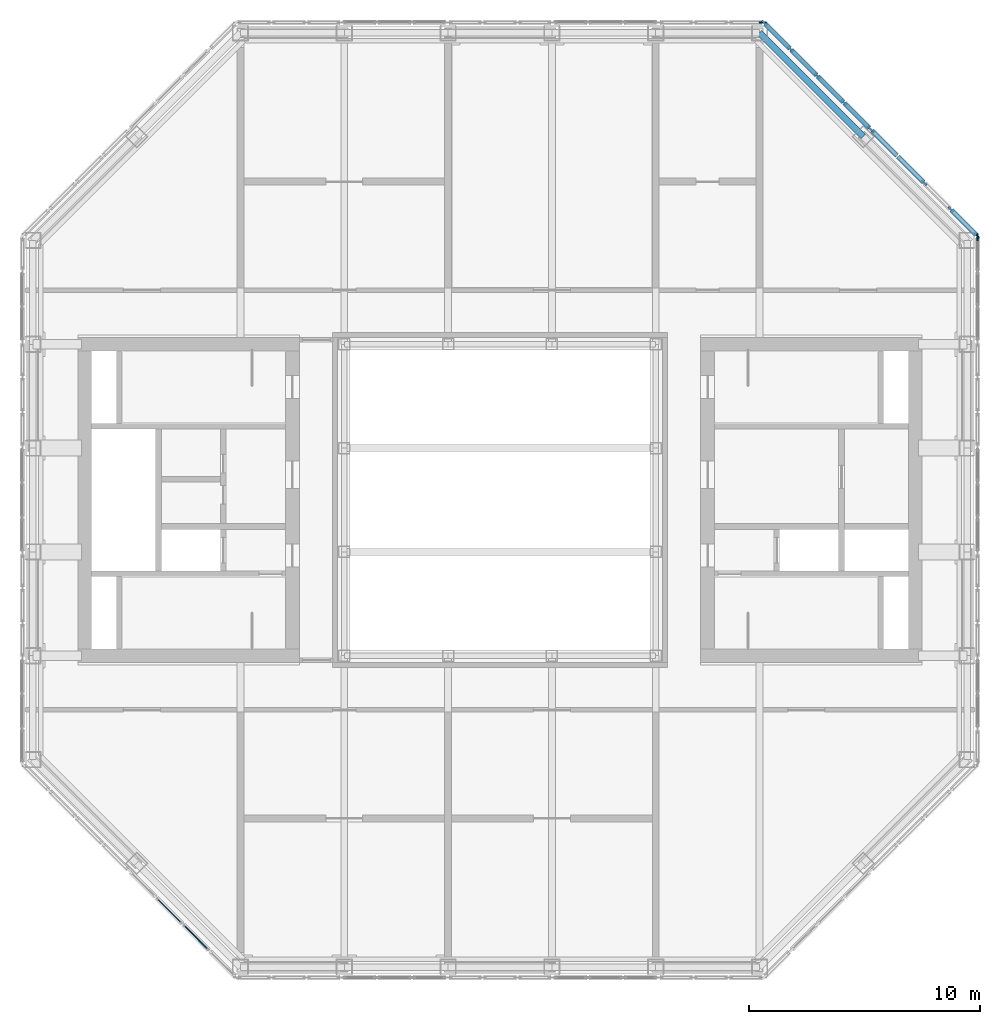
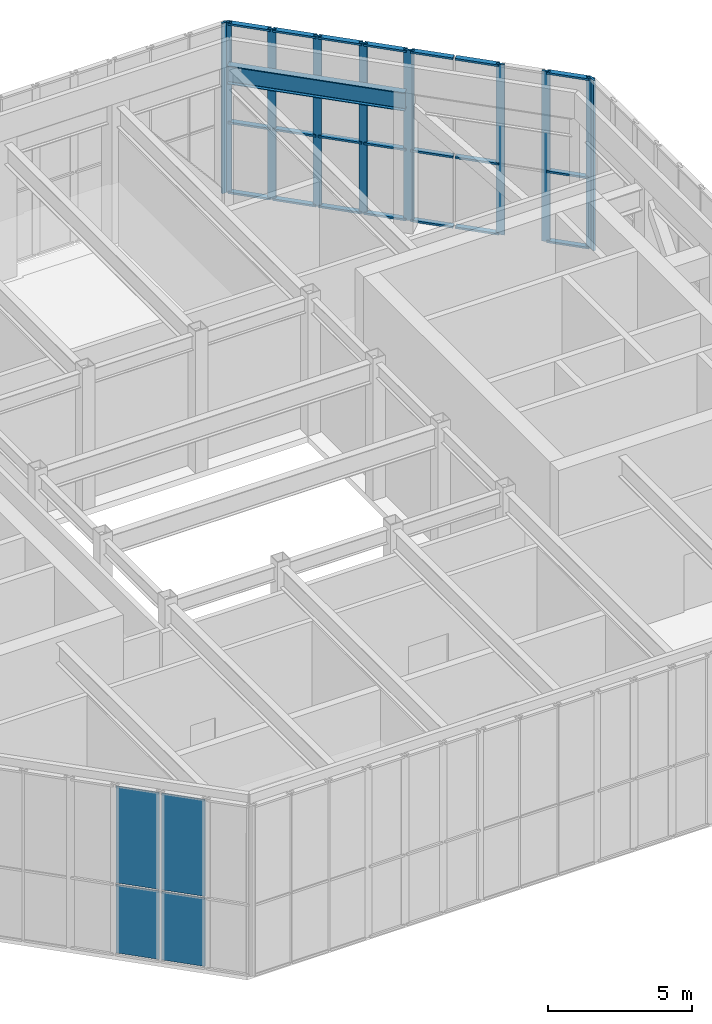
# One storey, part 9 of 15: 32 members, 4 plates, 1 beam, 5 elements without a shape of their own.
"""IFC4 building model written with IfcOpenShell, lengths in metres."""

from ifc_helpers import new_model, si_unit, direction, frame, origin, origin_2d, place, context, subcontext, project, spatial, rectangle, i_section, extrude, material, layer, layer_set, material_profile, profile_set, type_object, element, aggregate, save


model = new_model("IFC4")

# Units and contexts
model_context = context("Model", 3, precision=1e-05, world=origin(), true_north=direction((0.0, 1.0)))
body_context = subcontext(model_context, "Body", "Model", "MODEL_VIEW")
ifc_project = project(units=[si_unit("LENGTHUNIT", "METRE"), si_unit("AREAUNIT", "SQUARE_METRE"), si_unit("VOLUMEUNIT", "CUBIC_METRE"), si_unit("PLANEANGLEUNIT", "RADIAN"), si_unit("MASSUNIT", "GRAM", prefix="KILO")], contexts=[model_context])

# Site, building, storey
site_placement = place(None, origin())
site = spatial("IfcSite", under=ifc_project, at=site_placement, CompositionType="ELEMENT")
building_placement = place(site_placement, origin())
building = spatial("IfcBuilding", under=site, at=building_placement, Name="Msasa Ring Tower", CompositionType="ELEMENT")
storey_placement = place(building_placement, frame((0.0, 0.0, 268.050048828125)))
storey = spatial("IfcBuildingStorey", under=building, at=storey_placement, Name="L69", CompositionType="ELEMENT", Elevation=268.050048828125)

# Curtain wall, member
ifc_material_1 = material(Name="Aluminium curtain wall with clear glass", Category="aluminium")
curtain_wall_type_1 = type_object("IfcCurtainWallType", Name="CW-L LANTERN CURTAIN WALL", PredefinedType="NOTDEFINED", material=ifc_material_1)
curtain_wall_1_placement = place(storey_placement, origin())
curtain_wall_1 = element("IfcCurtainWall", 1, at=curtain_wall_1_placement, inside=storey, type_object=curtain_wall_type_1, Name="Lantern curtain wall E6 L69", PredefinedType="NOTDEFINED")
ifc_material_2 = material(Name="Aluminium mullion", Category="aluminium")
ifc_material_profile_1 = material_profile(ifc_material_2, rectangle(XDim=0.080078125, YDim=0.300048828125, at=origin_2d()), Name="AL 80x300")
ifc_profile_set_1 = profile_set([ifc_material_profile_1], Name="Aluminium mullion")
member_type_1 = type_object("IfcMemberType", Name="CW-L MULLION 80x300", PredefinedType="MULLION", material=ifc_profile_set_1)
member_1_placement = place(storey_placement, frame((20.699951171875, 11.396484375, 0.0), z_axis=(0.0, 0.0, 1.0), x_axis=(-1.0, 0.0, 0.0)))
member_1 = element("IfcMember", 2, at=member_1_placement, type_object=member_type_1, Name="CW-L mullion 4", PredefinedType="MULLION", context=body_context, shape_type="SweptSolid", body=[
    extrude(rectangle(XDim=0.080078125, YDim=0.300048828125, at=origin_2d()), origin(), (0.0, 0.0, 1.0), 7.199951171875),
])
aggregate(curtain_wall_1, [member_1])

# Curtain wall, members
curtain_wall_2_placement = place(storey_placement, origin())
curtain_wall_2 = element("IfcCurtainWall", 3, at=curtain_wall_2_placement, inside=storey, type_object=curtain_wall_type_1, Name="Lantern curtain wall NE2 L69", PredefinedType="NOTDEFINED")
member_2_placement = place(storey_placement, frame((16.039794921875, 16.096435546875, 0.0), z_axis=(0.0, 0.0, 1.0), x_axis=(-0.707106781187, -0.707106781187, 0.0)))
member_2 = element("IfcMember", 4, at=member_2_placement, type_object=member_type_1, Name="CW-L mullion 1", PredefinedType="MULLION", context=body_context, shape_type="SweptSolid", body=[
    extrude(rectangle(XDim=0.080078125, YDim=0.300048828125, at=origin_2d()), origin(), (0.0, 0.0, 1.0), 7.199951171875),
])
member_3_placement = place(storey_placement, frame((14.91015625, 17.22607421875, 0.0), z_axis=(0.0, 0.0, 1.0), x_axis=(-0.707106781187, -0.707106781187, 0.0)))
member_3 = element("IfcMember", 5, at=member_3_placement, type_object=member_type_1, Name="CW-L mullion 2", PredefinedType="MULLION", context=body_context, shape_type="SweptSolid", body=[
    extrude(rectangle(XDim=0.080078125, YDim=0.300048828125, at=origin_2d()), origin(), (0.0, 0.0, 1.0), 7.199951171875),
])
member_4_placement = place(storey_placement, frame((13.752197265625, 18.384033203125, 0.0), z_axis=(0.0, 0.0, 1.0), x_axis=(-0.707106781187, -0.707106781187, 0.0)))
member_4 = element("IfcMember", 6, at=member_4_placement, type_object=member_type_1, Name="CW-L mullion 3", PredefinedType="MULLION", context=body_context, shape_type="SweptSolid", body=[
    extrude(rectangle(XDim=0.080078125, YDim=0.300048828125, at=origin_2d()), origin(), (0.0, 0.0, 1.0), 7.199951171875),
])
member_5_placement = place(storey_placement, frame((12.59423828125, 19.5419921875, 0.0), z_axis=(0.0, 0.0, 1.0), x_axis=(-0.707106781187, -0.707106781187, 0.0)))
member_5 = element("IfcMember", 7, at=member_5_placement, type_object=member_type_1, Name="CW-L mullion 4", PredefinedType="MULLION", context=body_context, shape_type="SweptSolid", body=[
    extrude(rectangle(XDim=0.080078125, YDim=0.300048828125, at=origin_2d()), origin(), (0.0, 0.0, 1.0), 7.199951171875),
])
member_6_placement = place(storey_placement, frame((11.464599609375, 20.671630859375, 0.0), z_axis=(0.0, 0.0, 1.0), x_axis=(-0.707106781187, -0.707106781187, 0.0)))
member_6 = element("IfcMember", 8, at=member_6_placement, type_object=member_type_1, Name="CW-L mullion 5", PredefinedType="MULLION", context=body_context, shape_type="SweptSolid", body=[
    extrude(rectangle(XDim=0.080078125, YDim=0.300048828125, at=origin_2d()), origin(), (0.0, 0.0, 1.0), 7.199951171875),
])
ifc_material_3 = material(Name="Aluminium transom", Category="aluminium")
ifc_material_profile_2 = material_profile(ifc_material_3, rectangle(XDim=0.199951171875, YDim=0.080078125, at=origin_2d()), Name="AL 80x200")
ifc_profile_set_2 = profile_set([ifc_material_profile_2], Name="Aluminium transom")
member_type_2 = type_object("IfcMemberType", Name="CW-L TRANSOM 80x200", PredefinedType="USERDEFINED", material=ifc_profile_set_2)
member_7_placement = place(storey_placement, frame((16.01171875, 16.124755859375, 0.0400390625), z_axis=(-0.707187211918, 0.707026341306, 0.0), x_axis=(-0.707026341306, -0.707187211918, 0.0)))
member_7 = element("IfcMember", 9, at=member_7_placement, type_object=member_type_2, Name="CW-L transom 1.1", ObjectType="TRANSOM", PredefinedType="USERDEFINED", context=body_context, shape_type="SweptSolid", body=[
    extrude(rectangle(XDim=0.199951171875, YDim=0.080078125, at=origin_2d()), origin(), (0.0, 0.0, 1.0), 1.517578125),
])
member_8_placement = place(storey_placement, frame((16.01171875, 16.124755859375, 3.0), z_axis=(-0.707187211918, 0.707026341306, 0.0), x_axis=(-0.707026341306, -0.707187211918, 0.0)))
member_8 = element("IfcMember", 10, at=member_8_placement, type_object=member_type_2, Name="CW-L transom 1.2", ObjectType="TRANSOM", PredefinedType="USERDEFINED", context=body_context, shape_type="SweptSolid", body=[
    extrude(rectangle(XDim=0.199951171875, YDim=0.080078125, at=origin_2d()), origin(), (0.0, 0.0, 1.0), 1.517578125),
])
member_9_placement = place(storey_placement, frame((16.01171875, 16.124755859375, 7.159912109375), z_axis=(-0.707187211918, 0.707026341306, 0.0), x_axis=(-0.707026341306, -0.707187211918, 0.0)))
member_9 = element("IfcMember", 11, at=member_9_placement, type_object=member_type_2, Name="CW-L transom 1.3", ObjectType="TRANSOM", PredefinedType="USERDEFINED", context=body_context, shape_type="SweptSolid", body=[
    extrude(rectangle(XDim=0.199951171875, YDim=0.080078125, at=origin_2d()), origin(), (0.0, 0.0, 1.0), 1.517578125),
])
member_10_placement = place(storey_placement, frame((14.882080078125, 17.25439453125, 0.0400390625), z_axis=(-0.707185143992, 0.707028409696, 0.0), x_axis=(-0.707028409696, -0.707185143992, 0.0)))
member_10 = element("IfcMember", 12, at=member_10_placement, type_object=member_type_2, Name="CW-L transom 2.1", ObjectType="TRANSOM", PredefinedType="USERDEFINED", context=body_context, shape_type="SweptSolid", body=[
    extrude(rectangle(XDim=0.199951171875, YDim=0.080078125, at=origin_2d()), origin(), (0.0, 0.0, 1.0), 1.5576171875),
])
member_11_placement = place(storey_placement, frame((14.882080078125, 17.25439453125, 3.0), z_axis=(-0.707185143992, 0.707028409696, 0.0), x_axis=(-0.707028409696, -0.707185143992, 0.0)))
member_11 = element("IfcMember", 13, at=member_11_placement, type_object=member_type_2, Name="CW-L transom 2.2", ObjectType="TRANSOM", PredefinedType="USERDEFINED", context=body_context, shape_type="SweptSolid", body=[
    extrude(rectangle(XDim=0.199951171875, YDim=0.080078125, at=origin_2d()), origin(), (0.0, 0.0, 1.0), 1.5576171875),
])
member_12_placement = place(storey_placement, frame((14.882080078125, 17.25439453125, 7.159912109375), z_axis=(-0.707185143992, 0.707028409696, 0.0), x_axis=(-0.707028409696, -0.707185143992, 0.0)))
member_12 = element("IfcMember", 14, at=member_12_placement, type_object=member_type_2, Name="CW-L transom 2.3", ObjectType="TRANSOM", PredefinedType="USERDEFINED", context=body_context, shape_type="SweptSolid", body=[
    extrude(rectangle(XDim=0.199951171875, YDim=0.080078125, at=origin_2d()), origin(), (0.0, 0.0, 1.0), 1.5576171875),
])
member_13_placement = place(storey_placement, frame((13.72412109375, 18.412353515625, 0.0400390625), z_axis=(-0.707185143992, 0.707028409696, 0.0), x_axis=(-0.707028409696, -0.707185143992, 0.0)))
member_13 = element("IfcMember", 15, at=member_13_placement, type_object=member_type_2, Name="CW-L transom 3.1", ObjectType="TRANSOM", PredefinedType="USERDEFINED", context=body_context, shape_type="SweptSolid", body=[
    extrude(rectangle(XDim=0.199951171875, YDim=0.080078125, at=origin_2d()), origin(), (0.0, 0.0, 1.0), 1.5576171875),
])
member_14_placement = place(storey_placement, frame((13.72412109375, 18.412353515625, 3.0), z_axis=(-0.707185143992, 0.707028409696, 0.0), x_axis=(-0.707028409696, -0.707185143992, 0.0)))
member_14 = element("IfcMember", 16, at=member_14_placement, type_object=member_type_2, Name="CW-L transom 3.2", ObjectType="TRANSOM", PredefinedType="USERDEFINED", context=body_context, shape_type="SweptSolid", body=[
    extrude(rectangle(XDim=0.199951171875, YDim=0.080078125, at=origin_2d()), origin(), (0.0, 0.0, 1.0), 1.5576171875),
])
member_15_placement = place(storey_placement, frame((13.72412109375, 18.412353515625, 7.159912109375), z_axis=(-0.707185143992, 0.707028409696, 0.0), x_axis=(-0.707028409696, -0.707185143992, 0.0)))
member_15 = element("IfcMember", 17, at=member_15_placement, type_object=member_type_2, Name="CW-L transom 3.3", ObjectType="TRANSOM", PredefinedType="USERDEFINED", context=body_context, shape_type="SweptSolid", body=[
    extrude(rectangle(XDim=0.199951171875, YDim=0.080078125, at=origin_2d()), origin(), (0.0, 0.0, 1.0), 1.5576171875),
])
member_16_placement = place(storey_placement, frame((12.566162109375, 19.5703125, 0.0400390625), z_axis=(-0.707187211918, 0.707026341306, 0.0), x_axis=(-0.707026341306, -0.707187211918, 0.0)))
member_16 = element("IfcMember", 18, at=member_16_placement, type_object=member_type_2, Name="CW-L transom 4.1", ObjectType="TRANSOM", PredefinedType="USERDEFINED", context=body_context, shape_type="SweptSolid", body=[
    extrude(rectangle(XDim=0.199951171875, YDim=0.080078125, at=origin_2d()), origin(), (0.0, 0.0, 1.0), 1.517578125),
])
member_17_placement = place(storey_placement, frame((12.566162109375, 19.5703125, 3.0), z_axis=(-0.707187211918, 0.707026341306, 0.0), x_axis=(-0.707026341306, -0.707187211918, 0.0)))
member_17 = element("IfcMember", 19, at=member_17_placement, type_object=member_type_2, Name="CW-L transom 4.2", ObjectType="TRANSOM", PredefinedType="USERDEFINED", context=body_context, shape_type="SweptSolid", body=[
    extrude(rectangle(XDim=0.199951171875, YDim=0.080078125, at=origin_2d()), origin(), (0.0, 0.0, 1.0), 1.517578125),
])
member_18_placement = place(storey_placement, frame((12.566162109375, 19.5703125, 7.159912109375), z_axis=(-0.707187211918, 0.707026341306, 0.0), x_axis=(-0.707026341306, -0.707187211918, 0.0)))
member_18 = element("IfcMember", 20, at=member_18_placement, type_object=member_type_2, Name="CW-L transom 4.3", ObjectType="TRANSOM", PredefinedType="USERDEFINED", context=body_context, shape_type="SweptSolid", body=[
    extrude(rectangle(XDim=0.199951171875, YDim=0.080078125, at=origin_2d()), origin(), (0.0, 0.0, 1.0), 1.517578125),
])
aggregate(curtain_wall_2, [member_2, member_3, member_4, member_5, member_6, member_7, member_8, member_9, member_10, member_11, member_12, member_13, member_14, member_15, member_16, member_17, member_18])

ifc_material_4 = material(Name="Aluminium curtain wall with insulated terracotta-faced panels", Category="masonry")
curtain_wall_type_2 = type_object("IfcCurtainWallType", Name="CW-O OPAQUE LANTERN CURTAIN WALL", PredefinedType="NOTDEFINED", material=ifc_material_4)
curtain_wall_3_placement = place(storey_placement, origin())
curtain_wall_3 = element("IfcCurtainWall", 21, at=curtain_wall_3_placement, inside=storey, type_object=curtain_wall_type_2, Name="Lantern opaque curtain wall NE1 L69", PredefinedType="NOTDEFINED")
ifc_material_5 = material(Name="Aluminium mullion", Category="aluminium")
ifc_material_profile_3 = material_profile(ifc_material_5, rectangle(XDim=0.080078125, YDim=0.300048828125, at=origin_2d()), Name="AL 80x300")
ifc_profile_set_3 = profile_set([ifc_material_profile_3], Name="Aluminium mullion")
member_type_3 = type_object("IfcMemberType", Name="CW-O MULLION 80x300", PredefinedType="MULLION", material=ifc_profile_set_3)
member_19_placement = place(storey_placement, frame((20.671630859375, 11.464599609375, 0.0), z_axis=(0.0, 0.0, 1.0), x_axis=(-0.707106781187, -0.707106781187, 0.0)))
member_19 = element("IfcMember", 22, at=member_19_placement, type_object=member_type_3, Name="CW-O mullion 1", PredefinedType="MULLION", context=body_context, shape_type="SweptSolid", body=[
    extrude(rectangle(XDim=0.080078125, YDim=0.300048828125, at=origin_2d()), origin(), (0.0, 0.0, 1.0), 7.199951171875),
])
member_20_placement = place(storey_placement, frame((19.5419921875, 12.59423828125, 0.0), z_axis=(0.0, 0.0, 1.0), x_axis=(-0.707106781187, -0.707106781187, 0.0)))
member_20 = element("IfcMember", 23, at=member_20_placement, type_object=member_type_3, Name="CW-O mullion 2", PredefinedType="MULLION", context=body_context, shape_type="SweptSolid", body=[
    extrude(rectangle(XDim=0.080078125, YDim=0.300048828125, at=origin_2d()), origin(), (0.0, 0.0, 1.0), 7.199951171875),
])
member_21_placement = place(storey_placement, frame((18.384033203125, 13.752197265625, 0.0), z_axis=(0.0, 0.0, 1.0), x_axis=(-0.707106781187, -0.707106781187, 0.0)))
member_21 = element("IfcMember", 24, at=member_21_placement, type_object=member_type_3, Name="CW-O mullion 3", PredefinedType="MULLION", context=body_context, shape_type="SweptSolid", body=[
    extrude(rectangle(XDim=0.080078125, YDim=0.300048828125, at=origin_2d()), origin(), (0.0, 0.0, 1.0), 7.199951171875),
])
member_22_placement = place(storey_placement, frame((16.096435546875, 16.039794921875, 0.0), z_axis=(0.0, 0.0, 1.0), x_axis=(-0.707106781187, -0.707106781187, 0.0)))
member_22 = element("IfcMember", 25, at=member_22_placement, type_object=member_type_3, Name="CW-O mullion 5", PredefinedType="MULLION", context=body_context, shape_type="SweptSolid", body=[
    extrude(rectangle(XDim=0.080078125, YDim=0.300048828125, at=origin_2d()), origin(), (0.0, 0.0, 1.0), 7.199951171875),
])

# Curtain wall, member
curtain_wall_4_placement = place(storey_placement, origin())
curtain_wall_4 = element("IfcCurtainWall", 26, at=curtain_wall_4_placement, inside=storey, type_object=curtain_wall_type_2, Name="Lantern opaque curtain wall N1 L69", PredefinedType="NOTDEFINED")
member_23_placement = place(storey_placement, frame((11.396484375, 20.699951171875, 0.0), z_axis=(0.0, 0.0, 1.0), x_axis=(0.0, -1.0, 0.0)))
member_23 = element("IfcMember", 27, at=member_23_placement, type_object=member_type_3, Name="CW-O mullion 1", PredefinedType="MULLION", context=body_context, shape_type="SweptSolid", body=[
    extrude(rectangle(XDim=0.080078125, YDim=0.300048828125, at=origin_2d()), origin(), (0.0, 0.0, 1.0), 7.199951171875),
])
aggregate(curtain_wall_4, [member_23])

# Member
ifc_material_6 = material(Name="Aluminium transom", Category="aluminium")
ifc_material_profile_4 = material_profile(ifc_material_6, rectangle(XDim=0.199951171875, YDim=0.080078125, at=origin_2d()), Name="AL 80x200")
ifc_profile_set_4 = profile_set([ifc_material_profile_4], Name="Aluminium transom")
member_type_4 = type_object("IfcMemberType", Name="CW-O TRANSOM 80x200", PredefinedType="USERDEFINED", material=ifc_profile_set_4)
member_24_placement = place(storey_placement, frame((20.643310546875, 11.492919921875, 0.0400390625), z_axis=(-0.707026341306, 0.707187211918, 0.0), x_axis=(-0.707187211918, -0.707026341306, 0.0)))
member_24 = element("IfcMember", 28, at=member_24_placement, type_object=member_type_4, Name="CW-O transom 1.1", ObjectType="TRANSOM", PredefinedType="USERDEFINED", context=body_context, shape_type="SweptSolid", body=[
    extrude(rectangle(XDim=0.199951171875, YDim=0.080078125, at=origin_2d()), origin(), (0.0, 0.0, 1.0), 1.517578125),
])

member_25_placement = place(storey_placement, frame((20.643310546875, 11.492919921875, 3.0), z_axis=(-0.707026341306, 0.707187211918, 0.0), x_axis=(-0.707187211918, -0.707026341306, 0.0)))
member_25 = element("IfcMember", 29, at=member_25_placement, type_object=member_type_4, Name="CW-O transom 1.2", ObjectType="TRANSOM", PredefinedType="USERDEFINED", context=body_context, shape_type="SweptSolid", body=[
    extrude(rectangle(XDim=0.199951171875, YDim=0.080078125, at=origin_2d()), origin(), (0.0, 0.0, 1.0), 1.517578125),
])

member_26_placement = place(storey_placement, frame((20.643310546875, 11.492919921875, 7.159912109375), z_axis=(-0.707026341306, 0.707187211918, 0.0), x_axis=(-0.707187211918, -0.707026341306, 0.0)))
member_26 = element("IfcMember", 30, at=member_26_placement, type_object=member_type_4, Name="CW-O transom 1.3", ObjectType="TRANSOM", PredefinedType="USERDEFINED", context=body_context, shape_type="SweptSolid", body=[
    extrude(rectangle(XDim=0.199951171875, YDim=0.080078125, at=origin_2d()), origin(), (0.0, 0.0, 1.0), 1.517578125),
])

member_27_placement = place(storey_placement, frame((18.355712890625, 13.780517578125, 0.0400390625), z_axis=(-0.707028409696, 0.707185143992, 0.0), x_axis=(-0.707185143992, -0.707028409696, 0.0)))
member_27 = element("IfcMember", 31, at=member_27_placement, type_object=member_type_4, Name="CW-O transom 3.1", ObjectType="TRANSOM", PredefinedType="USERDEFINED", context=body_context, shape_type="SweptSolid", body=[
    extrude(rectangle(XDim=0.199951171875, YDim=0.080078125, at=origin_2d()), origin(), (0.0, 0.0, 1.0), 1.5576171875),
])

member_28_placement = place(storey_placement, frame((18.355712890625, 13.780517578125, 3.0), z_axis=(-0.707028409696, 0.707185143992, 0.0), x_axis=(-0.707185143992, -0.707028409696, 0.0)))
member_28 = element("IfcMember", 32, at=member_28_placement, type_object=member_type_4, Name="CW-O transom 3.2", ObjectType="TRANSOM", PredefinedType="USERDEFINED", context=body_context, shape_type="SweptSolid", body=[
    extrude(rectangle(XDim=0.199951171875, YDim=0.080078125, at=origin_2d()), origin(), (0.0, 0.0, 1.0), 1.5576171875),
])

member_29_placement = place(storey_placement, frame((18.355712890625, 13.780517578125, 7.159912109375), z_axis=(-0.707028409696, 0.707185143992, 0.0), x_axis=(-0.707185143992, -0.707028409696, 0.0)))
member_29 = element("IfcMember", 33, at=member_29_placement, type_object=member_type_4, Name="CW-O transom 3.3", ObjectType="TRANSOM", PredefinedType="USERDEFINED", context=body_context, shape_type="SweptSolid", body=[
    extrude(rectangle(XDim=0.199951171875, YDim=0.080078125, at=origin_2d()), origin(), (0.0, 0.0, 1.0), 1.5576171875),
])

member_30_placement = place(storey_placement, frame((17.19775390625, 14.9384765625, 0.0400390625), z_axis=(-0.707026341306, 0.707187211918, 0.0), x_axis=(-0.707187211918, -0.707026341306, 0.0)))
member_30 = element("IfcMember", 34, at=member_30_placement, type_object=member_type_4, Name="CW-O transom 4.1", ObjectType="TRANSOM", PredefinedType="USERDEFINED", context=body_context, shape_type="SweptSolid", body=[
    extrude(rectangle(XDim=0.199951171875, YDim=0.080078125, at=origin_2d()), origin(), (0.0, 0.0, 1.0), 1.517578125),
])

member_31_placement = place(storey_placement, frame((17.19775390625, 14.9384765625, 3.0), z_axis=(-0.707026341306, 0.707187211918, 0.0), x_axis=(-0.707187211918, -0.707026341306, 0.0)))
member_31 = element("IfcMember", 35, at=member_31_placement, type_object=member_type_4, Name="CW-O transom 4.2", ObjectType="TRANSOM", PredefinedType="USERDEFINED", context=body_context, shape_type="SweptSolid", body=[
    extrude(rectangle(XDim=0.199951171875, YDim=0.080078125, at=origin_2d()), origin(), (0.0, 0.0, 1.0), 1.517578125),
])

member_32_placement = place(storey_placement, frame((17.19775390625, 14.9384765625, 7.159912109375), z_axis=(-0.707026341306, 0.707187211918, 0.0), x_axis=(-0.707187211918, -0.707026341306, 0.0)))
member_32 = element("IfcMember", 36, at=member_32_placement, type_object=member_type_4, Name="CW-O transom 4.3", ObjectType="TRANSOM", PredefinedType="USERDEFINED", context=body_context, shape_type="SweptSolid", body=[
    extrude(rectangle(XDim=0.199951171875, YDim=0.080078125, at=origin_2d()), origin(), (0.0, 0.0, 1.0), 1.517578125),
])

aggregate(curtain_wall_3, [member_19, member_20, member_21, member_22, member_24, member_25, member_26, member_27, member_28, member_29, member_30, member_31, member_32])

# Beam
ifc_material_7 = material(Name="Steel S355", Category="steel")
ifc_material_profile_5 = material_profile(ifc_material_7, i_section(OverallWidth=0.26806640625, OverallDepth=0.769775390625, WebThickness=0.015625, FlangeThickness=0.025390625, FilletRadius=0.0166015625, at=origin_2d()), Name="UB 762x267x197")
ifc_profile_set_5 = profile_set([ifc_material_profile_5], Name="Steel S355")
beam_type = type_object("IfcBeamType", Name="SB4 UB 762x267x197", PredefinedType="SPANDREL", material=ifc_profile_set_5)
beam_placement = place(storey_placement, frame((15.75, 15.75, 5.364990234375), z_axis=(-0.707106781187, 0.707106781187, 0.0), x_axis=(-0.707106781187, -0.707106781187, 0.0)))
element("IfcBeam", 37, at=beam_placement, inside=storey, type_object=beam_type, Name="Spandrel NE to N+11.25 under roof", PredefinedType="SPANDREL", context=body_context, shape_type="SweptSolid", body=[
    extrude(i_section(OverallWidth=0.26806640625, OverallDepth=0.769775390625, WebThickness=0.015625, FlangeThickness=0.025390625, FilletRadius=0.0166015625, at=origin_2d()), origin(), (0.0, 0.0, 1.0), 6.364013671875),
])

# Curtain wall, plates
curtain_wall_5_placement = place(storey_placement, origin())
curtain_wall_5 = element("IfcCurtainWall", 38, at=curtain_wall_5_placement, inside=storey, type_object=curtain_wall_type_1, Name="Lantern curtain wall SW2 L69", PredefinedType="NOTDEFINED")
ifc_material_8 = material(Name="Clear laminated insulating glass unit", Category="glass")
ifc_layer = layer(ifc_material_8, 0.0400390625)
ifc_layer_set = layer_set([ifc_layer], Name="CW-L GLASS PANEL 40")
plate_type = type_object("IfcPlateType", Name="CW-L GLASS PANEL 40", PredefinedType="CURTAIN_PANEL", material=ifc_layer_set)
plate_1_placement = place(storey_placement, frame((-14.331298828125, -17.80517578125, 0.080078125), z_axis=(0.0, 0.0, 1.0), x_axis=(0.707106781187, -0.707106781187, 0.0)))
plate_1 = element("IfcPlate", 39, at=plate_1_placement, type_object=plate_type, Name="CW-L panel 2.1", PredefinedType="CURTAIN_PANEL", context=body_context, shape_type="SweptSolid", body=[
    extrude(rectangle(XDim=1.5576171875, YDim=0.0400390625, at=origin_2d()), origin(), (0.0, 0.0, 1.0), 2.8798828125),
])
plate_2_placement = place(storey_placement, frame((-14.331298828125, -17.80517578125, 3.039794921875), z_axis=(0.0, 0.0, 1.0), x_axis=(0.707106781187, -0.707106781187, 0.0)))
plate_2 = element("IfcPlate", 40, at=plate_2_placement, type_object=plate_type, Name="CW-L panel 2.2", PredefinedType="CURTAIN_PANEL", context=body_context, shape_type="SweptSolid", body=[
    extrude(rectangle(XDim=1.5576171875, YDim=0.0400390625, at=origin_2d()), origin(), (0.0, 0.0, 1.0), 4.080078125),
])
plate_3_placement = place(storey_placement, frame((-13.17333984375, -18.963134765625, 0.080078125), z_axis=(0.0, 0.0, 1.0), x_axis=(0.707106781187, -0.707106781187, 0.0)))
plate_3 = element("IfcPlate", 41, at=plate_3_placement, type_object=plate_type, Name="CW-L panel 3.1", PredefinedType="CURTAIN_PANEL", context=body_context, shape_type="SweptSolid", body=[
    extrude(rectangle(XDim=1.5576171875, YDim=0.0400390625, at=origin_2d()), origin(), (0.0, 0.0, 1.0), 2.8798828125),
])
plate_4_placement = place(storey_placement, frame((-13.17333984375, -18.963134765625, 3.039794921875), z_axis=(0.0, 0.0, 1.0), x_axis=(0.707106781187, -0.707106781187, 0.0)))
plate_4 = element("IfcPlate", 42, at=plate_4_placement, type_object=plate_type, Name="CW-L panel 3.2", PredefinedType="CURTAIN_PANEL", context=body_context, shape_type="SweptSolid", body=[
    extrude(rectangle(XDim=1.5576171875, YDim=0.0400390625, at=origin_2d()), origin(), (0.0, 0.0, 1.0), 4.080078125),
])
aggregate(curtain_wall_5, [plate_1, plate_2, plate_3, plate_4])

save(model, "model.ifc")
